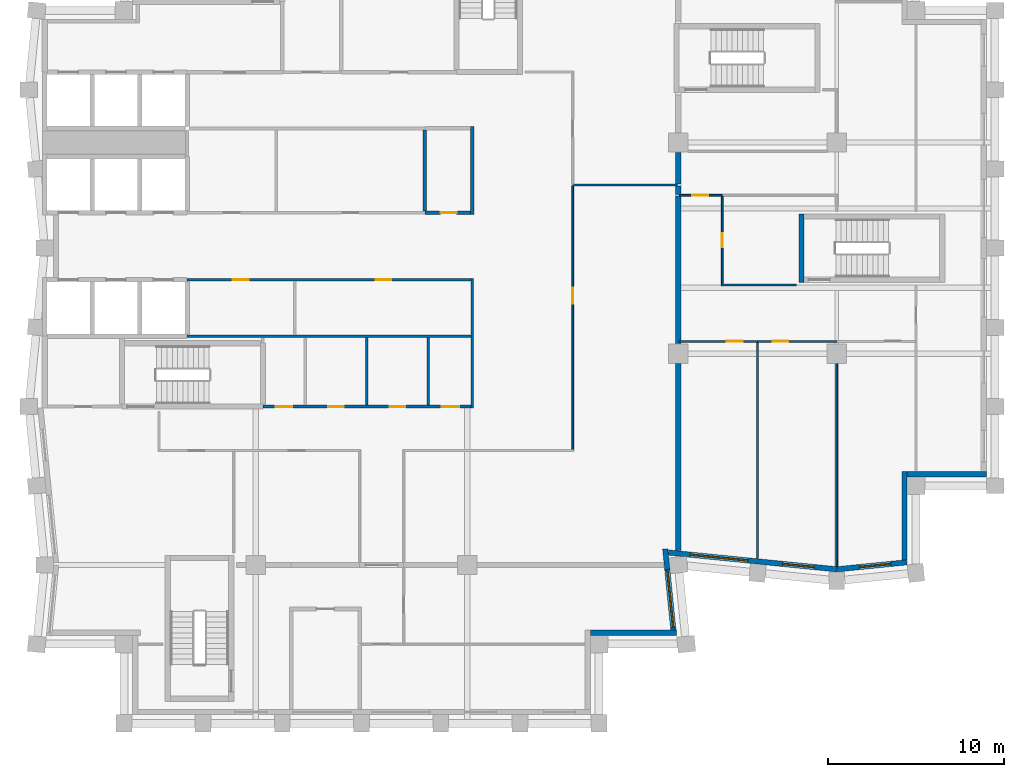
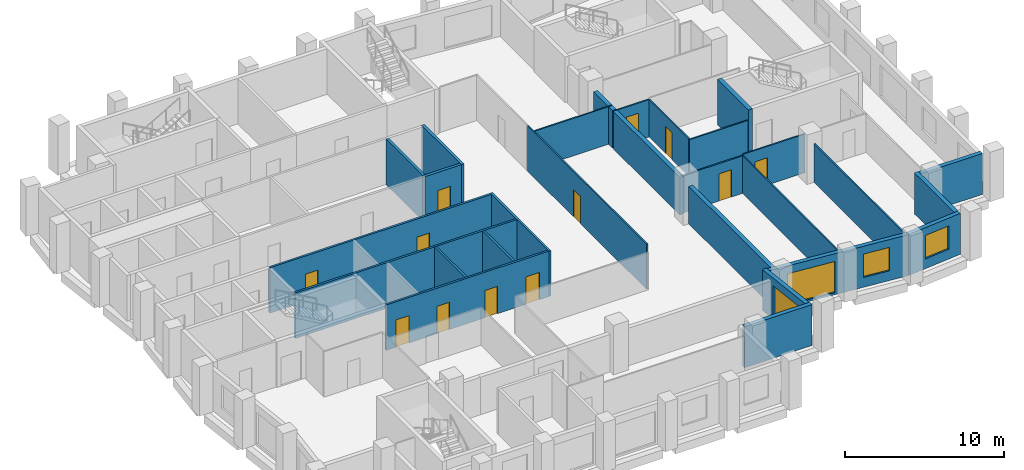
# One storey, part 4 of 8: 29 walls, 12 doors, 4 windows, 16 openings.
"""IFC4 building model written with IfcOpenShell, lengths in metres."""

from ifc_helpers import new_model, si_unit, direction, frame, frame_2d, origin, place, context, subcontext, project, spatial, rectangle, extrude, material, layer, layer_set, type_object, element, fill, save


model = new_model("IFC4")

# Units and contexts
model_context = context("Model", 3, precision=1e-05, world=origin(), true_north=direction((0.0, 1.0)))
body_context = subcontext(model_context, "Body", "Model", "MODEL_VIEW")
ifc_project = project(units=[si_unit("LENGTHUNIT", "METRE"), si_unit("AREAUNIT", "SQUARE_METRE"), si_unit("VOLUMEUNIT", "CUBIC_METRE"), si_unit("PLANEANGLEUNIT", "RADIAN"), si_unit("MASSUNIT", "GRAM", prefix="KILO")], contexts=[model_context])

# Site, building, storey
site_placement = place(None, origin())
site = spatial("IfcSite", under=ifc_project, at=site_placement, CompositionType="ELEMENT")
building_placement = place(site_placement, origin())
building = spatial("IfcBuilding", under=site, at=building_placement, Name="Brondeck Convention Tower", CompositionType="ELEMENT")
storey_placement = place(building_placement, frame((0.0, 0.0, 221.60009765625)))
storey = spatial("IfcBuildingStorey", under=building, at=storey_placement, Name="L54", CompositionType="ELEMENT", Elevation=221.60009765625)

# Walls
ifc_material_1 = material(Name="Concrete compartment wall C30/37", Category="concrete")
ifc_layer_1 = layer(ifc_material_1, 0.300048828125)
ifc_layer_set_1 = layer_set([ifc_layer_1], Name="Compartment wall 300")
wall_type_1 = type_object("IfcWallType", Name="Compartment wall 300", PredefinedType="PARTITIONING", material=ifc_layer_set_1)
wall_1_placement = place(storey_placement, frame((36.0, 27.823974609375, 0.0), z_axis=(0.0, 0.0, 1.0), x_axis=(0.0, 1.0, 0.0)))
element("IfcWall", 1, at=wall_1_placement, inside=storey, type_object=wall_type_1, Name="FLR-L54-W021", PredefinedType="PARTITIONING", context=body_context, shape_type="SweptSolid", body=[
    extrude(rectangle(XDim=10.62109375, YDim=0.300048828125, at=frame_2d((5.310546875, 0.0))), origin(), (0.0, 0.0, 1.0), 2.8798828125),
])
wall_2_placement = place(storey_placement, frame((36.0, 39.570068359375, 0.0), z_axis=(0.0, 0.0, 1.0), x_axis=(0.0, 1.0, 0.0)))
element("IfcWall", 2, at=wall_2_placement, inside=storey, type_object=wall_type_1, Name="FLR-L54-W035", PredefinedType="PARTITIONING", context=body_context, shape_type="SweptSolid", body=[
    extrude(rectangle(XDim=8.3798828125, YDim=0.300048828125, at=frame_2d((4.18994140625, 0.0))), origin(), (0.0, 0.0, 1.0), 2.8798828125),
])
wall_3_placement = place(storey_placement, frame((36.0, 48.050048828125, 0.0), z_axis=(0.0, 0.0, 1.0), x_axis=(0.0, 1.0, 0.0)))
element("IfcWall", 3, at=wall_3_placement, inside=storey, type_object=wall_type_1, Name="FLR-L54-W043", PredefinedType="PARTITIONING", context=body_context, shape_type="SweptSolid", body=[
    extrude(rectangle(XDim=0.488037109375, YDim=0.300048828125, at=frame_2d((0.244140625, 0.0))), origin(), (0.0, 0.0, 1.0), 2.8798828125),
])
wall_4_placement = place(storey_placement, frame((36.0, 48.637939453125, 0.0), z_axis=(0.0, 0.0, 1.0), x_axis=(0.0, 1.0, 0.0)))
element("IfcWall", 4, at=wall_4_placement, inside=storey, type_object=wall_type_1, Name="FLR-L54-W046", PredefinedType="PARTITIONING", context=body_context, shape_type="SweptSolid", body=[
    extrude(rectangle(XDim=1.80712890625, YDim=0.300048828125, at=frame_2d((0.903564453125, 0.0))), origin(), (0.0, 0.0, 1.0), 2.8798828125),
])

# Wall, openings, doors
ifc_material_2 = material(Name="Concrete C50/60", Category="concrete")
ifc_layer_2 = layer(ifc_material_2, 0.14990234375)
ifc_layer_set_2 = layer_set([ifc_layer_2], Name="Core beam-seat wall 150 Concrete C50/60")
wall_type_2 = type_object("IfcWallType", Name="Core beam-seat wall 150 Concrete C50/60", PredefinedType="SHEAR", material=ifc_layer_set_2)
wall_5_placement = place(storey_placement, frame((12.39990234375, 36.0, 0.0), z_axis=(0.0, 0.0, 1.0), x_axis=(1.0, 0.0, 0.0)))
wall_5 = element("IfcWall", 5, at=wall_5_placement, inside=storey, type_object=wall_type_2, Name="L54 core wall", PredefinedType="SHEAR", context=body_context, shape_type="SweptSolid", body=[
    extrude(rectangle(XDim=11.8251953125, YDim=0.14990234375, at=frame_2d((5.91259765625, 0.0))), origin(), (0.0, 0.0, 1.0), 3.5),
])
opening_1_placement = place(wall_5_placement, frame((0.72509765625, 0.0, 0.0)))
opening_1 = element("IfcOpeningElement", 6, at=opening_1_placement, cuts=wall_5, Name="Opening C30-03", PredefinedType="OPENING", context=body_context, shape_type="SweptSolid", body=[
    extrude(rectangle(XDim=0.949951171875, YDim=2.10009765625, at=frame_2d((0.47509765625, 1.050048828125))), frame((0.0, 0.0849609375, 0.0), z_axis=(0.0, -1.0, 0.0), x_axis=(1.0, 0.0, 0.0)), (0.0, 0.0, 1.0), 0.169921875),
])
opening_2_placement = place(wall_5_placement, frame((3.699951171875, 0.0, 0.0)))
opening_2 = element("IfcOpeningElement", 7, at=opening_2_placement, cuts=wall_5, Name="Opening C30-04", PredefinedType="OPENING", context=body_context, shape_type="SweptSolid", body=[
    extrude(rectangle(XDim=0.89990234375, YDim=2.10009765625, at=frame_2d((0.449951171875, 1.050048828125))), frame((0.0, 0.0849609375, 0.0), z_axis=(0.0, -1.0, 0.0), x_axis=(1.0, 0.0, 0.0)), (0.0, 0.0, 1.0), 0.169921875),
])
opening_3_placement = place(wall_5_placement, frame((7.199951171875, 0.0, 0.0)))
opening_3 = element("IfcOpeningElement", 8, at=opening_3_placement, cuts=wall_5, Name="Opening C30-05", PredefinedType="OPENING", context=body_context, shape_type="SweptSolid", body=[
    extrude(rectangle(XDim=0.89990234375, YDim=2.10009765625, at=frame_2d((0.449951171875, 1.050048828125))), frame((0.0, 0.0849609375, 0.0), z_axis=(0.0, -1.0, 0.0), x_axis=(1.0, 0.0, 0.0)), (0.0, 0.0, 1.0), 0.169921875),
])
opening_4_placement = place(wall_5_placement, frame((10.14990234375, 0.0, 0.0)))
opening_4 = element("IfcOpeningElement", 9, at=opening_4_placement, cuts=wall_5, Name="Opening C30-06", PredefinedType="OPENING", context=body_context, shape_type="SweptSolid", body=[
    extrude(rectangle(XDim=1.0, YDim=2.10009765625, at=frame_2d((0.5, 1.050048828125))), frame((0.0, 0.0849609375, 0.0), z_axis=(0.0, -1.0, 0.0), x_axis=(1.0, 0.0, 0.0)), (0.0, 0.0, 1.0), 0.169921875),
])
ifc_material_3 = material(Name="Steel fire door", Category="steel")
door_type_1 = type_object("IfcDoorType", Name="Room door 1000x2100 EI 60", OperationType="NOTDEFINED", PredefinedType="DOOR", material=ifc_material_3)
door_1_placement = place(opening_4_placement, origin())
door_1 = element("IfcDoor", 10, at=door_1_placement, inside=storey, type_object=door_type_1, Name="L54 Room door FR-4", OperationType="SINGLE_SWING_LEFT", OverallHeight=2.10009765625, OverallWidth=1.0, PredefinedType="DOOR", context=body_context, shape_type="SweptSolid", body=[
    extrude(rectangle(XDim=1.0, YDim=2.10009765625, at=frame_2d((0.5, 1.050048828125))), frame((0.0, 0.02490234375, 0.0), z_axis=(0.0, -1.0, 0.0), x_axis=(1.0, 0.0, 0.0)), (0.0, 0.0, 1.0), 0.050048828125),
])
fill(opening_4, door_1)
door_type_2 = type_object("IfcDoorType", Name="Room door 900x2100 EI 60", OperationType="NOTDEFINED", PredefinedType="DOOR", material=ifc_material_3)
door_2_placement = place(opening_2_placement, origin())
door_2 = element("IfcDoor", 11, at=door_2_placement, inside=storey, type_object=door_type_2, Name="L54 Room door FR-2", OperationType="SINGLE_SWING_LEFT", OverallHeight=2.10009765625, OverallWidth=0.89990234375, PredefinedType="DOOR", context=body_context, shape_type="SweptSolid", body=[
    extrude(rectangle(XDim=0.89990234375, YDim=2.10009765625, at=frame_2d((0.449951171875, 1.050048828125))), frame((0.0, 0.02490234375, 0.0), z_axis=(0.0, -1.0, 0.0), x_axis=(1.0, 0.0, 0.0)), (0.0, 0.0, 1.0), 0.050048828125),
])
fill(opening_2, door_2)
door_3_placement = place(opening_3_placement, origin())
door_3 = element("IfcDoor", 12, at=door_3_placement, inside=storey, type_object=door_type_2, Name="L54 Room door FR-3", OperationType="SINGLE_SWING_RIGHT", OverallHeight=2.10009765625, OverallWidth=0.89990234375, PredefinedType="DOOR", context=body_context, shape_type="SweptSolid", body=[
    extrude(rectangle(XDim=0.89990234375, YDim=2.10009765625, at=frame_2d((0.449951171875, 1.050048828125))), frame((0.0, 0.02490234375, 0.0), z_axis=(0.0, -1.0, 0.0), x_axis=(1.0, 0.0, 0.0)), (0.0, 0.0, 1.0), 0.050048828125),
])
fill(opening_3, door_3)
door_type_3 = type_object("IfcDoorType", Name="Room door 950x2100 EI 60", OperationType="NOTDEFINED", PredefinedType="DOOR", material=ifc_material_3)
door_4_placement = place(opening_1_placement, origin())
door_4 = element("IfcDoor", 13, at=door_4_placement, inside=storey, type_object=door_type_3, Name="L54 Room door FR-1", OperationType="SINGLE_SWING_RIGHT", OverallHeight=2.10009765625, OverallWidth=0.949951171875, PredefinedType="DOOR", context=body_context, shape_type="SweptSolid", body=[
    extrude(rectangle(XDim=0.949951171875, YDim=2.10009765625, at=frame_2d((0.47509765625, 1.050048828125))), frame((0.0, 0.02490234375, 0.0), z_axis=(0.0, -1.0, 0.0), x_axis=(1.0, 0.0, 0.0)), (0.0, 0.0, 1.0), 0.050048828125),
])
fill(opening_1, door_4)

# Walls
ifc_layer_3 = layer(ifc_material_2, 0.199951171875)
ifc_layer_set_3 = layer_set([ifc_layer_3], Name="Core beam-seat wall 200 Concrete C50/60")
wall_type_3 = type_object("IfcWallType", Name="Core beam-seat wall 200 Concrete C50/60", PredefinedType="SHEAR", material=ifc_layer_set_3)
wall_6_placement = place(storey_placement, frame((24.300048828125, 46.89990234375, 0.0), z_axis=(0.0, 0.0, 1.0), x_axis=(0.0, 1.0, 0.0)))
element("IfcWall", 14, at=wall_6_placement, inside=storey, type_object=wall_type_3, Name="L54 core wall", PredefinedType="SHEAR", context=body_context, shape_type="SweptSolid", body=[
    extrude(rectangle(XDim=5.0, YDim=0.199951171875, at=frame_2d((2.5, 0.0))), origin(), (0.0, 0.0, 1.0), 3.5),
])
ifc_material_4 = material(Name="Fire-rated gypsum board partition")
ifc_layer_4 = layer(ifc_material_4, 0.14990234375)
ifc_layer_set_4 = layer_set([ifc_layer_4], Name="Core partition 150 EI 60")
wall_type_4 = type_object("IfcWallType", Name="Core partition 150 EI 60", PredefinedType="PARTITIONING", material=ifc_layer_set_4)
wall_7_placement = place(storey_placement, frame((8.10009765625, 40.0, 0.0), z_axis=(0.0, 0.0, 1.0), x_axis=(1.0, 0.0, 0.0)))
element("IfcWall", 15, at=wall_7_placement, inside=storey, type_object=wall_type_4, Name="L54 core wall", PredefinedType="PARTITIONING", context=body_context, shape_type="SweptSolid", body=[
    extrude(rectangle(XDim=16.125, YDim=0.14990234375, at=frame_2d((8.0625, 0.0))), origin(), (0.0, 0.0, 1.0), 3.5),
])

# Wall, openings, doors
wall_8_placement = place(storey_placement, frame((8.10009765625, 43.199951171875, 0.0), z_axis=(0.0, 0.0, 1.0), x_axis=(1.0, 0.0, 0.0)))
wall_8 = element("IfcWall", 16, at=wall_8_placement, inside=storey, type_object=wall_type_4, Name="L54 core wall", PredefinedType="PARTITIONING", context=body_context, shape_type="SweptSolid", body=[
    extrude(rectangle(XDim=16.125, YDim=0.14990234375, at=frame_2d((8.0625, 0.0))), origin(), (0.0, 0.0, 1.0), 3.5),
])
opening_5_placement = place(wall_8_placement, frame((2.60009765625, 0.0, 0.0)))
opening_5 = element("IfcOpeningElement", 17, at=opening_5_placement, cuts=wall_8, Name="Opening C30-10", PredefinedType="OPENING", context=body_context, shape_type="SweptSolid", body=[
    extrude(rectangle(XDim=0.89990234375, YDim=2.10009765625, at=frame_2d((0.449951171875, 1.050048828125))), frame((0.0, 0.0849609375, 0.0), z_axis=(0.0, -1.0, 0.0), x_axis=(1.0, 0.0, 0.0)), (0.0, 0.0, 1.0), 0.169921875),
])
opening_6_placement = place(wall_8_placement, frame((10.699951171875, 0.0, 0.0)))
opening_6 = element("IfcOpeningElement", 18, at=opening_6_placement, cuts=wall_8, Name="Opening C30-11", PredefinedType="OPENING", context=body_context, shape_type="SweptSolid", body=[
    extrude(rectangle(XDim=0.89990234375, YDim=2.10009765625, at=frame_2d((0.449951171875, 1.050048828125))), frame((0.0, 0.0849609375, 0.0), z_axis=(0.0, -1.0, 0.0), x_axis=(1.0, 0.0, 0.0)), (0.0, 0.0, 1.0), 0.169921875),
])
door_5_placement = place(opening_5_placement, origin())
door_5 = element("IfcDoor", 19, at=door_5_placement, inside=storey, type_object=door_type_2, Name="L54 Room door FZ-S-8.1-1", OperationType="SINGLE_SWING_RIGHT", OverallHeight=2.10009765625, OverallWidth=0.89990234375, PredefinedType="DOOR", context=body_context, shape_type="SweptSolid", body=[
    extrude(rectangle(XDim=0.89990234375, YDim=2.10009765625, at=frame_2d((0.449951171875, 1.050048828125))), frame((0.0, 0.02490234375, 0.0), z_axis=(0.0, -1.0, 0.0), x_axis=(1.0, 0.0, 0.0)), (0.0, 0.0, 1.0), 0.050048828125),
])
fill(opening_5, door_5)
door_6_placement = place(opening_6_placement, origin())
door_6 = element("IfcDoor", 20, at=door_6_placement, inside=storey, type_object=door_type_2, Name="L54 Room door FZ-S-8.1-2", OperationType="SINGLE_SWING_LEFT", OverallHeight=2.10009765625, OverallWidth=0.89990234375, PredefinedType="DOOR", context=body_context, shape_type="SweptSolid", body=[
    extrude(rectangle(XDim=0.89990234375, YDim=2.10009765625, at=frame_2d((0.449951171875, 1.050048828125))), frame((0.0, 0.02490234375, 0.0), z_axis=(0.0, -1.0, 0.0), x_axis=(1.0, 0.0, 0.0)), (0.0, 0.0, 1.0), 0.050048828125),
])
fill(opening_6, door_6)

# Walls
for number, where, z_axis, x_axis, name in (
    (21, (18.300048828125, 36.074951171875, 0.0), (0.0, 0.0, 1.0), (0.0, 1.0, 0.0), "L54 core wall"),
    (22, (21.800048828125, 36.074951171875, 0.0), (0.0, 0.0, 1.0), (0.0, 1.0, 0.0), "L54 core wall"),
):
    element("IfcWall", number, at=place(storey_placement, frame(where, z_axis=z_axis, x_axis=x_axis)), inside=storey, type_object=wall_type_4, Name=name, PredefinedType="PARTITIONING", context=body_context, shape_type="SweptSolid", body=[
        extrude(rectangle(XDim=3.85009765625, YDim=0.14990234375, at=frame_2d((1.925048828125, 0.0))), origin(), (0.0, 0.0, 1.0), 3.5),
    ])
wall_9_placement = place(storey_placement, frame((24.300048828125, 35.925048828125, 0.0), z_axis=(0.0, 0.0, 1.0), x_axis=(0.0, 1.0, 0.0)))
element("IfcWall", 23, at=wall_9_placement, inside=storey, type_object=wall_type_4, Name="L54 core wall", PredefinedType="PARTITIONING", context=body_context, shape_type="SweptSolid", body=[
    extrude(rectangle(XDim=7.349853515625, YDim=0.14990234375, at=frame_2d((3.6748046875, 0.0))), origin(), (0.0, 0.0, 1.0), 3.5),
])
ifc_material_5 = material(Name="Precast concrete C50/60 bronze finish", Category="concrete")
ifc_layer_5 = layer(ifc_material_5, 0.070068359375, Name="Bronze precast facing")
ifc_material_6 = material(Name="Mineral wool")
ifc_layer_6 = layer(ifc_material_6, 0.159912109375, Name="Insulation")
ifc_material_7 = material(Name="Concrete C35/45", Category="concrete")
ifc_layer_7 = layer(ifc_material_7, 0.070068359375, Name="Backing")
ifc_layer_set_5 = layer_set([ifc_layer_5, ifc_layer_6, ifc_layer_7], Name="External infill wall, precast concrete C50/60 bronze facing")
wall_type_5 = type_object("IfcWallType", Name="External infill wall, precast concrete C50/60 bronze facing", PredefinedType="SOLIDWALL", material=ifc_layer_set_5)
wall_10_placement = place(storey_placement, frame((35.8974609375, 23.14990234375, 0.0), z_axis=(0.0, 0.0, 1.0), x_axis=(-1.0, 0.0, 0.0)))
element("IfcWall", 24, at=wall_10_placement, inside=storey, type_object=wall_type_5, Name="ENV-EW-L54-P2-NC-SEB18-02", PredefinedType="SOLIDWALL", context=body_context, shape_type="SweptSolid", body=[
    extrude(rectangle(XDim=4.8974609375, YDim=0.300048828125, at=frame_2d((2.44873046875, 0.0))), origin(), (0.0, 0.0, 1.0), 3.14990234375),
])

# Wall, opening, window
wall_11_placement = place(storey_placement, frame((35.255859375, 27.908203125, 0.0), z_axis=(0.0, 0.0, 1.0), x_axis=(0.099535070904, -0.995034054523, 0.0)))
wall_11 = element("IfcWall", 25, at=wall_11_placement, inside=storey, type_object=wall_type_5, Name="ENV-EW-L54-P2-B-E-00", PredefinedType="SOLIDWALL", context=body_context, shape_type="SweptSolid", body=[
    extrude(rectangle(XDim=4.6259765625, YDim=0.300048828125, at=frame_2d((2.31298828125, 0.0))), origin(), (0.0, 0.0, 1.0), 3.14990234375),
])
opening_7_placement = place(wall_11_placement, frame((1.176025390625, 0.0, 0.14990234375)))
opening_7 = element("IfcOpeningElement", 26, at=opening_7_placement, cuts=wall_11, Name="Opening W9", PredefinedType="OPENING", context=body_context, shape_type="SweptSolid", body=[
    extrude(rectangle(XDim=3.300048828125, YDim=2.39990234375, at=frame_2d((1.64990234375, 1.199951171875))), frame((0.0, 0.159912109375, 0.0), z_axis=(0.0, -1.0, 0.0), x_axis=(1.0, 0.0, 0.0)), (0.0, 0.0, 1.0), 0.320068359375),
])
ifc_material_8 = material(Name="Bronze tinted double glazing", Category="glass")
window_type_1 = type_object("IfcWindowType", Name="Glazed flute window, bronze tinted", PartitioningType="SINGLE_PANEL", PredefinedType="WINDOW", material=ifc_material_8)
window_1_placement = place(opening_7_placement, origin())
window_1 = element("IfcWindow", 27, at=window_1_placement, inside=storey, type_object=window_type_1, Name="ENV-WN-L54-P2-B-E-00", OverallHeight=2.39990234375, OverallWidth=3.300048828125, PartitioningType="SINGLE_PANEL", PredefinedType="WINDOW", context=body_context, shape_type="SweptSolid", body=[
    extrude(rectangle(XDim=3.300048828125, YDim=2.39990234375, at=frame_2d((1.64990234375, 1.199951171875))), frame((0.0, 0.030029296875, 0.0), z_axis=(0.0, -1.0, 0.0), x_axis=(1.0, 0.0, 0.0)), (0.0, 0.0, 1.0), 0.06005859375),
])
fill(opening_7, window_1)

# Wall, openings, windows
wall_12_placement = place(storey_placement, frame((45.014892578125, 26.751708984375, 0.0), z_axis=(0.0, 0.0, 1.0), x_axis=(-0.9950379439, 0.099496181828, 0.0)))
wall_12 = element("IfcWall", 28, at=wall_12_placement, inside=storey, type_object=wall_type_5, Name="ENV-EW-L54-P2-A-S-00", PredefinedType="SOLIDWALL", context=body_context, shape_type="SweptSolid", body=[
    extrude(rectangle(XDim=9.621337890625, YDim=0.300048828125, at=frame_2d((4.810546875, 0.0))), origin(), (0.0, 0.0, 1.0), 3.14990234375),
])
opening_8_placement = place(wall_12_placement, frame((1.311279296875, 0.0, 0.75)))
opening_8 = element("IfcOpeningElement", 29, at=opening_8_placement, cuts=wall_12, Name="Opening W10", PredefinedType="OPENING", context=body_context, shape_type="SweptSolid", body=[
    extrude(rectangle(XDim=1.800048828125, YDim=1.800048828125, at=frame_2d((0.89990234375, 0.89990234375))), frame((0.0, 0.159912109375, 0.0), z_axis=(0.0, -1.0, 0.0), x_axis=(1.0, 0.0, 0.0)), (0.0, 0.0, 1.0), 0.320068359375),
])
opening_9_placement = place(wall_12_placement, frame((5.08349609375, 0.0, 0.14990234375)))
opening_9 = element("IfcOpeningElement", 30, at=opening_9_placement, cuts=wall_12, Name="Opening W9", PredefinedType="OPENING", context=body_context, shape_type="SweptSolid", body=[
    extrude(rectangle(XDim=3.300048828125, YDim=2.39990234375, at=frame_2d((1.64990234375, 1.199951171875))), frame((0.0, 0.159912109375, 0.0), z_axis=(0.0, -1.0, 0.0), x_axis=(1.0, 0.0, 0.0)), (0.0, 0.0, 1.0), 0.320068359375),
])
window_2_placement = place(opening_9_placement, origin())
window_2 = element("IfcWindow", 31, at=window_2_placement, inside=storey, type_object=window_type_1, Name="ENV-WN-L54-P2-A-S-00", OverallHeight=2.39990234375, OverallWidth=3.300048828125, PartitioningType="SINGLE_PANEL", PredefinedType="WINDOW", context=body_context, shape_type="SweptSolid", body=[
    extrude(rectangle(XDim=3.300048828125, YDim=2.39990234375, at=frame_2d((1.64990234375, 1.199951171875))), frame((0.0, 0.030029296875, 0.0), z_axis=(0.0, -1.0, 0.0), x_axis=(1.0, 0.0, 0.0)), (0.0, 0.0, 1.0), 0.06005859375),
])
fill(opening_9, window_2)
window_type_2 = type_object("IfcWindowType", Name="Punched window, bronze tinted", PartitioningType="SINGLE_PANEL", PredefinedType="WINDOW", material=ifc_material_8)
window_3_placement = place(opening_8_placement, origin())
window_3 = element("IfcWindow", 32, at=window_3_placement, inside=storey, type_object=window_type_2, Name="ENV-WN-L54-P2-A-S-01", OverallHeight=1.800048828125, OverallWidth=1.800048828125, PartitioningType="SINGLE_PANEL", PredefinedType="WINDOW", context=body_context, shape_type="SweptSolid", body=[
    extrude(rectangle(XDim=1.800048828125, YDim=1.800048828125, at=frame_2d((0.89990234375, 0.89990234375))), frame((0.0, 0.030029296875, 0.0), z_axis=(0.0, -1.0, 0.0), x_axis=(1.0, 0.0, 0.0)), (0.0, 0.0, 1.0), 0.06005859375),
])
fill(opening_8, window_3)

# Wall, opening, window
wall_13_placement = place(storey_placement, frame((48.985107421875, 27.151611328125, 0.0), z_axis=(0.0, 0.0, 1.0), x_axis=(-0.995037798293, -0.099497638, 0.0)))
wall_13 = element("IfcWall", 33, at=wall_13_placement, inside=storey, type_object=wall_type_5, Name="ENV-EW-L54-P2-A-S-02", PredefinedType="SOLIDWALL", context=body_context, shape_type="SweptSolid", body=[
    extrude(rectangle(XDim=3.97509765625, YDim=0.300048828125, at=frame_2d((1.987548828125, 0.0))), origin(), (0.0, 0.0, 1.0), 3.14990234375),
])
opening_10_placement = place(wall_13_placement, frame((0.90869140625, 0.0, 0.75)))
opening_10 = element("IfcOpeningElement", 34, at=opening_10_placement, cuts=wall_13, Name="Opening W10", PredefinedType="OPENING", context=body_context, shape_type="SweptSolid", body=[
    extrude(rectangle(XDim=1.800048828125, YDim=1.800048828125, at=frame_2d((0.89990234375, 0.89990234375))), frame((0.0, 0.159912109375, 0.0), z_axis=(0.0, -1.0, 0.0), x_axis=(1.0, 0.0, 0.0)), (0.0, 0.0, 1.0), 0.320068359375),
])
window_4_placement = place(opening_10_placement, origin())
window_4 = element("IfcWindow", 35, at=window_4_placement, inside=storey, type_object=window_type_2, Name="ENV-WN-L54-P2-A-S-02", OverallHeight=1.800048828125, OverallWidth=1.800048828125, PartitioningType="SINGLE_PANEL", PredefinedType="WINDOW", context=body_context, shape_type="SweptSolid", body=[
    extrude(rectangle(XDim=1.800048828125, YDim=1.800048828125, at=frame_2d((0.89990234375, 0.89990234375))), frame((0.0, 0.030029296875, 0.0), z_axis=(0.0, -1.0, 0.0), x_axis=(1.0, 0.0, 0.0)), (0.0, 0.0, 1.0), 0.06005859375),
])
fill(opening_10, window_4)

# Walls
wall_14_placement = place(storey_placement, frame((48.85009765625, 32.300048828125, 0.0), z_axis=(0.0, 0.0, 1.0), x_axis=(0.0, -1.0, 0.0)))
element("IfcWall", 36, at=wall_14_placement, inside=storey, type_object=wall_type_5, Name="ENV-EW-L54-P2-NC-SEA54-01", PredefinedType="SOLIDWALL", context=body_context, shape_type="SweptSolid", body=[
    extrude(rectangle(XDim=5.009765625, YDim=0.300048828125, at=frame_2d((2.5048828125, 0.0))), origin(), (0.0, 0.0, 1.0), 3.14990234375),
])
wall_15_placement = place(storey_placement, frame((53.5, 32.14990234375, 0.0), z_axis=(0.0, 0.0, 1.0), x_axis=(-1.0, 0.0, 0.0)))
element("IfcWall", 37, at=wall_15_placement, inside=storey, type_object=wall_type_5, Name="ENV-EW-L54-P2-NC-SEA54-02", PredefinedType="SOLIDWALL", context=body_context, shape_type="SweptSolid", body=[
    extrude(rectangle(XDim=4.501953125, YDim=0.300048828125, at=frame_2d((2.2509765625, 0.0))), origin(), (0.0, 0.0, 1.0), 3.14990234375),
])

# Wall, opening, door
ifc_layer_8 = layer(ifc_material_4, 0.199951171875)
ifc_layer_set_6 = layer_set([ifc_layer_8], Name="Riser wall 200 EI 120")
wall_type_6 = type_object("IfcWallType", Name="Riser wall 200 EI 120", PredefinedType="PARTITIONING", material=ifc_layer_set_6)
wall_16_placement = place(storey_placement, frame((21.60009765625, 47.0, 0.0), z_axis=(0.0, 0.0, 1.0), x_axis=(1.0, 0.0, 0.0)))
wall_16 = element("IfcWall", 38, at=wall_16_placement, inside=storey, type_object=wall_type_6, Name="L54 core wall", PredefinedType="PARTITIONING", context=body_context, shape_type="SweptSolid", body=[
    extrude(rectangle(XDim=2.599853515625, YDim=0.199951171875, at=frame_2d((1.2998046875, 0.0))), origin(), (0.0, 0.0, 1.0), 3.5),
])
opening_11_placement = place(wall_16_placement, frame((0.89990234375, 0.0, 0.0)))
opening_11 = element("IfcOpeningElement", 39, at=opening_11_placement, cuts=wall_16, Name="Opening C30-02", PredefinedType="OPENING", context=body_context, shape_type="SweptSolid", body=[
    extrude(rectangle(XDim=0.89990234375, YDim=2.10009765625, at=frame_2d((0.449951171875, 1.050048828125))), frame((0.0, 0.10986328125, 0.0), z_axis=(0.0, -1.0, 0.0), x_axis=(1.0, 0.0, 0.0)), (0.0, 0.0, 1.0), 0.219970703125),
])
door_type_4 = type_object("IfcDoorType", Name="Riser door 900x2100 EI 120", OperationType="NOTDEFINED", PredefinedType="DOOR", material=ifc_material_3)
door_7_placement = place(opening_11_placement, origin())
door_7 = element("IfcDoor", 40, at=door_7_placement, inside=storey, type_object=door_type_4, Name="L54 Riser door EN-1", OperationType="SINGLE_SWING_LEFT", OverallHeight=2.10009765625, OverallWidth=0.89990234375, PredefinedType="DOOR", context=body_context, shape_type="SweptSolid", body=[
    extrude(rectangle(XDim=0.89990234375, YDim=2.10009765625, at=frame_2d((0.449951171875, 1.050048828125))), frame((0.0, 0.02490234375, 0.0), z_axis=(0.0, -1.0, 0.0), x_axis=(1.0, 0.0, 0.0)), (0.0, 0.0, 1.0), 0.050048828125),
])
fill(opening_11, door_7)

# Walls
wall_17_placement = place(storey_placement, frame((21.60009765625, 47.10009765625, 0.0), z_axis=(0.0, 0.0, 1.0), x_axis=(0.0, 1.0, 0.0)))
element("IfcWall", 41, at=wall_17_placement, inside=storey, type_object=wall_type_6, Name="L54 core wall", PredefinedType="PARTITIONING", context=body_context, shape_type="SweptSolid", body=[
    extrude(rectangle(XDim=4.599853515625, YDim=0.199951171875, at=frame_2d((2.2998046875, 0.0))), origin(), (0.0, 0.0, 1.0), 3.5),
])
ifc_material_9 = material(Name="Gypsum board partition on steel studs", Category="steel")
ifc_layer_9 = layer(ifc_material_9, 0.10009765625)
ifc_layer_set_7 = layer_set([ifc_layer_9], Name="Room partition 100")
wall_type_7 = type_object("IfcWallType", Name="Room partition 100", PredefinedType="PARTITIONING", material=ifc_layer_set_7)
wall_18_placement = place(storey_placement, frame((45.0, 38.445068359375, 0.0), z_axis=(0.0, 0.0, 1.0), x_axis=(0.0, -1.0, 0.0)))
element("IfcWall", 42, at=wall_18_placement, inside=storey, type_object=wall_type_7, Name="FLR-L54-W030", PredefinedType="PARTITIONING", context=body_context, shape_type="SweptSolid", body=[
    extrude(rectangle(XDim=11.52099609375, YDim=0.10009765625, at=frame_2d((5.760498046875, 0.0))), origin(), (0.0, 0.0, 1.0), 2.97998046875),
])
wall_19_placement = place(storey_placement, frame((40.5, 39.64990234375, 0.0), z_axis=(0.0, 0.0, 1.0), x_axis=(0.0, -1.0, 0.0)))
element("IfcWall", 43, at=wall_19_placement, inside=storey, type_object=wall_type_7, Name="FLR-L54-W031", PredefinedType="PARTITIONING", context=body_context, shape_type="SweptSolid", body=[
    extrude(rectangle(XDim=12.27587890625, YDim=0.10009765625, at=frame_2d((6.137939453125, 0.0))), origin(), (0.0, 0.0, 1.0), 2.8798828125),
])

# Wall, opening, door
wall_20_placement = place(storey_placement, frame((40.5, 39.699951171875, 0.0), z_axis=(0.0, 0.0, 1.0), x_axis=(-1.0, 0.0, 0.0)))
wall_20 = element("IfcWall", 44, at=wall_20_placement, inside=storey, type_object=wall_type_7, Name="FLR-L54-W032", PredefinedType="PARTITIONING", context=body_context, shape_type="SweptSolid", body=[
    extrude(rectangle(XDim=4.449951171875, YDim=0.10009765625, at=frame_2d((2.22509765625, 0.0))), origin(), (0.0, 0.0, 1.0), 2.8798828125),
])
opening_12_placement = place(wall_20_placement, frame((0.8544921875, 0.0, 0.0)))
opening_12 = element("IfcOpeningElement", 45, at=opening_12_placement, cuts=wall_20, Name="Opening OF-M-004", PredefinedType="OPENING", context=body_context, shape_type="SweptSolid", body=[
    extrude(rectangle(XDim=0.89990234375, YDim=2.10009765625, at=frame_2d((0.449951171875, 1.050048828125))), frame((0.0, 0.06005859375, 0.0), z_axis=(0.0, -1.0, 0.0), x_axis=(1.0, 0.0, 0.0)), (0.0, 0.0, 1.0), 0.1201171875),
])
ifc_material_10 = material(Name="Solid timber door leaf", Category="wood")
door_type_5 = type_object("IfcDoorType", Name="Single door 900", OperationType="NOTDEFINED", PredefinedType="DOOR", material=ifc_material_10)
door_8_placement = place(opening_12_placement, origin())
door_8 = element("IfcDoor", 46, at=door_8_placement, inside=storey, type_object=door_type_5, Name="Door OF-M-004", OperationType="SINGLE_SWING_LEFT", OverallHeight=2.10009765625, OverallWidth=0.89990234375, PredefinedType="DOOR", context=body_context, shape_type="SweptSolid", body=[
    extrude(rectangle(XDim=0.89990234375, YDim=2.10009765625, at=frame_2d((0.449951171875, 1.050048828125))), frame((0.0, 0.02490234375, 0.0), z_axis=(0.0, -1.0, 0.0), x_axis=(1.0, 0.0, 0.0)), (0.0, 0.0, 1.0), 0.050048828125),
])
fill(opening_12, door_8)

wall_21_placement = place(storey_placement, frame((45.0, 39.699951171875, 0.0), z_axis=(0.0, 0.0, 1.0), x_axis=(-1.0, 0.0, 0.0)))
wall_21 = element("IfcWall", 47, at=wall_21_placement, inside=storey, type_object=wall_type_7, Name="FLR-L54-W033", PredefinedType="PARTITIONING", context=body_context, shape_type="SweptSolid", body=[
    extrude(rectangle(XDim=4.5, YDim=0.10009765625, at=frame_2d((2.25, 0.0))), origin(), (0.0, 0.0, 1.0), 2.97998046875),
])
opening_13_placement = place(wall_21_placement, frame((2.74560546875, 0.0, 0.0)))
opening_13 = element("IfcOpeningElement", 48, at=opening_13_placement, cuts=wall_21, Name="Opening OF-M-005", PredefinedType="OPENING", context=body_context, shape_type="SweptSolid", body=[
    extrude(rectangle(XDim=0.89990234375, YDim=2.10009765625, at=frame_2d((0.449951171875, 1.050048828125))), frame((0.0, 0.06005859375, 0.0), z_axis=(0.0, -1.0, 0.0), x_axis=(1.0, 0.0, 0.0)), (0.0, 0.0, 1.0), 0.1201171875),
])
door_9_placement = place(opening_13_placement, origin())
door_9 = element("IfcDoor", 49, at=door_9_placement, inside=storey, type_object=door_type_5, Name="Door OF-M-005", OperationType="SINGLE_SWING_LEFT", OverallHeight=2.10009765625, OverallWidth=0.89990234375, PredefinedType="DOOR", context=body_context, shape_type="SweptSolid", body=[
    extrude(rectangle(XDim=0.89990234375, YDim=2.10009765625, at=frame_2d((0.449951171875, 1.050048828125))), frame((0.0, 0.02490234375, 0.0), z_axis=(0.0, -1.0, 0.0), x_axis=(1.0, 0.0, 0.0)), (0.0, 0.0, 1.0), 0.050048828125),
])
fill(opening_13, door_9)

# Wall
wall_22_placement = place(storey_placement, frame((38.449951171875, 42.89990234375, 0.0), z_axis=(0.0, 0.0, 1.0), x_axis=(1.0, 0.0, 0.0)))
element("IfcWall", 50, at=wall_22_placement, inside=storey, type_object=wall_type_7, Name="FLR-L54-W036", PredefinedType="PARTITIONING", context=body_context, shape_type="SweptSolid", body=[
    extrude(rectangle(XDim=4.25, YDim=0.10009765625, at=frame_2d((2.125, 0.0))), origin(), (0.0, 0.0, 1.0), 2.8798828125),
])

# Wall, opening, door
wall_23_placement = place(storey_placement, frame((38.5, 47.949951171875, 0.0), z_axis=(0.0, 0.0, 1.0), x_axis=(0.0, -1.0, 0.0)))
wall_23 = element("IfcWall", 51, at=wall_23_placement, inside=storey, type_object=wall_type_7, Name="FLR-L54-W039", PredefinedType="PARTITIONING", context=body_context, shape_type="SweptSolid", body=[
    extrude(rectangle(XDim=5.0, YDim=0.10009765625, at=frame_2d((2.5, 0.0))), origin(), (0.0, 0.0, 1.0), 2.8798828125),
])
opening_14_placement = place(wall_23_placement, frame((2.10009765625, 0.0, 0.0)))
opening_14 = element("IfcOpeningElement", 52, at=opening_14_placement, cuts=wall_23, Name="Opening OF-M-001", PredefinedType="OPENING", context=body_context, shape_type="SweptSolid", body=[
    extrude(rectangle(XDim=0.800048828125, YDim=2.10009765625, at=frame_2d((0.39990234375, 1.050048828125))), frame((0.0, 0.06005859375, 0.0), z_axis=(0.0, -1.0, 0.0), x_axis=(1.0, 0.0, 0.0)), (0.0, 0.0, 1.0), 0.1201171875),
])
ifc_material_11 = material(Name="Steel service door leaf", Category="steel")
door_type_6 = type_object("IfcDoorType", Name="Service door 800", OperationType="NOTDEFINED", PredefinedType="DOOR", material=ifc_material_11)
door_10_placement = place(opening_14_placement, origin())
door_10 = element("IfcDoor", 53, at=door_10_placement, inside=storey, type_object=door_type_6, Name="Door OF-M-001", OperationType="SINGLE_SWING_RIGHT", OverallHeight=2.10009765625, OverallWidth=0.800048828125, PredefinedType="DOOR", context=body_context, shape_type="SweptSolid", body=[
    extrude(rectangle(XDim=0.800048828125, YDim=2.10009765625, at=frame_2d((0.39990234375, 1.050048828125))), frame((0.0, 0.02490234375, 0.0), z_axis=(0.0, -1.0, 0.0), x_axis=(1.0, 0.0, 0.0)), (0.0, 0.0, 1.0), 0.050048828125),
])
fill(opening_14, door_10)

wall_24_placement = place(storey_placement, frame((36.050048828125, 48.0, 0.0), z_axis=(0.0, 0.0, 1.0), x_axis=(1.0, 0.0, 0.0)))
wall_24 = element("IfcWall", 54, at=wall_24_placement, inside=storey, type_object=wall_type_7, Name="FLR-L54-W041", PredefinedType="PARTITIONING", context=body_context, shape_type="SweptSolid", body=[
    extrude(rectangle(XDim=2.449951171875, YDim=0.10009765625, at=frame_2d((1.22509765625, 0.0))), origin(), (0.0, 0.0, 1.0), 2.8798828125),
])
opening_15_placement = place(wall_24_placement, frame((0.75, 0.0, 0.0)))
opening_15 = element("IfcOpeningElement", 55, at=opening_15_placement, cuts=wall_24, Name="Opening OF-M-007", PredefinedType="OPENING", context=body_context, shape_type="SweptSolid", body=[
    extrude(rectangle(XDim=0.89990234375, YDim=2.10009765625, at=frame_2d((0.449951171875, 1.050048828125))), frame((0.0, 0.06005859375, 0.0), z_axis=(0.0, -1.0, 0.0), x_axis=(1.0, 0.0, 0.0)), (0.0, 0.0, 1.0), 0.1201171875),
])
door_11_placement = place(opening_15_placement, origin())
door_11 = element("IfcDoor", 56, at=door_11_placement, inside=storey, type_object=door_type_5, Name="Door OF-M-007", OperationType="SINGLE_SWING_LEFT", OverallHeight=2.10009765625, OverallWidth=0.89990234375, PredefinedType="DOOR", context=body_context, shape_type="SweptSolid", body=[
    extrude(rectangle(XDim=0.89990234375, YDim=2.10009765625, at=frame_2d((0.449951171875, 1.050048828125))), frame((0.0, 0.02490234375, 0.0), z_axis=(0.0, -1.0, 0.0), x_axis=(1.0, 0.0, 0.0)), (0.0, 0.0, 1.0), 0.050048828125),
])
fill(opening_15, door_11)

wall_25_placement = place(storey_placement, frame((30.0, 48.5380859375, 0.0), z_axis=(0.0, 0.0, 1.0), x_axis=(0.0, -1.0, 0.0)))
wall_25 = element("IfcWall", 57, at=wall_25_placement, inside=storey, type_object=wall_type_7, Name="FLR-L54-W044", PredefinedType="PARTITIONING", context=body_context, shape_type="SweptSolid", body=[
    extrude(rectangle(XDim=14.988037109375, YDim=0.10009765625, at=frame_2d((7.494140625, 0.0))), origin(), (0.0, 0.0, 1.0), 3.47998046875),
])
opening_16_placement = place(wall_25_placement, frame((5.7939453125, 0.0, 0.0)))
opening_16 = element("IfcOpeningElement", 58, at=opening_16_placement, cuts=wall_25, Name="Opening OF-M-013", PredefinedType="OPENING", context=body_context, shape_type="SweptSolid", body=[
    extrude(rectangle(XDim=0.89990234375, YDim=2.10009765625, at=frame_2d((0.449951171875, 1.050048828125))), frame((0.0, 0.06005859375, 0.0), z_axis=(0.0, -1.0, 0.0), x_axis=(1.0, 0.0, 0.0)), (0.0, 0.0, 1.0), 0.1201171875),
])
door_12_placement = place(opening_16_placement, origin())
door_12 = element("IfcDoor", 59, at=door_12_placement, inside=storey, type_object=door_type_5, Name="Door OF-M-013", OperationType="SINGLE_SWING_LEFT", OverallHeight=2.10009765625, OverallWidth=0.89990234375, PredefinedType="DOOR", context=body_context, shape_type="SweptSolid", body=[
    extrude(rectangle(XDim=0.89990234375, YDim=2.10009765625, at=frame_2d((0.449951171875, 1.050048828125))), frame((0.0, 0.02490234375, 0.0), z_axis=(0.0, -1.0, 0.0), x_axis=(1.0, 0.0, 0.0)), (0.0, 0.0, 1.0), 0.050048828125),
])
fill(opening_16, door_12)

# Walls
wall_26_placement = place(storey_placement, frame((30.050048828125, 48.587890625, 0.0), z_axis=(0.0, 0.0, 1.0), x_axis=(1.0, 0.0, 0.0)))
element("IfcWall", 60, at=wall_26_placement, inside=storey, type_object=wall_type_7, Name="FLR-L54-W045", PredefinedType="PARTITIONING", context=body_context, shape_type="SweptSolid", body=[
    extrude(rectangle(XDim=5.89990234375, YDim=0.10009765625, at=frame_2d((2.949951171875, 0.0))), origin(), (0.0, 0.0, 1.0), 2.8798828125),
])
ifc_layer_10 = layer(ifc_material_2, 0.300048828125)
ifc_layer_set_8 = layer_set([ifc_layer_10], Name="Stair enclosure wall 300 Concrete C50/60")
wall_type_8 = type_object("IfcWallType", Name="Stair enclosure wall 300 Concrete C50/60", PredefinedType="SHEAR", material=ifc_layer_set_8)
wall_27_placement = place(storey_placement, frame((43.0, 43.050048828125, 0.0), z_axis=(0.0, 0.0, 1.0), x_axis=(0.0, 1.0, 0.0)))
element("IfcWall", 61, at=wall_27_placement, inside=storey, type_object=wall_type_8, Name="L54 core wall", PredefinedType="SHEAR", context=body_context, shape_type="SweptSolid", body=[
    extrude(rectangle(XDim=3.89990234375, YDim=0.300048828125, at=frame_2d((1.949951171875, 0.0))), origin(), (0.0, 0.0, 1.0), 3.5),
])

save(model, "model.ifc")
